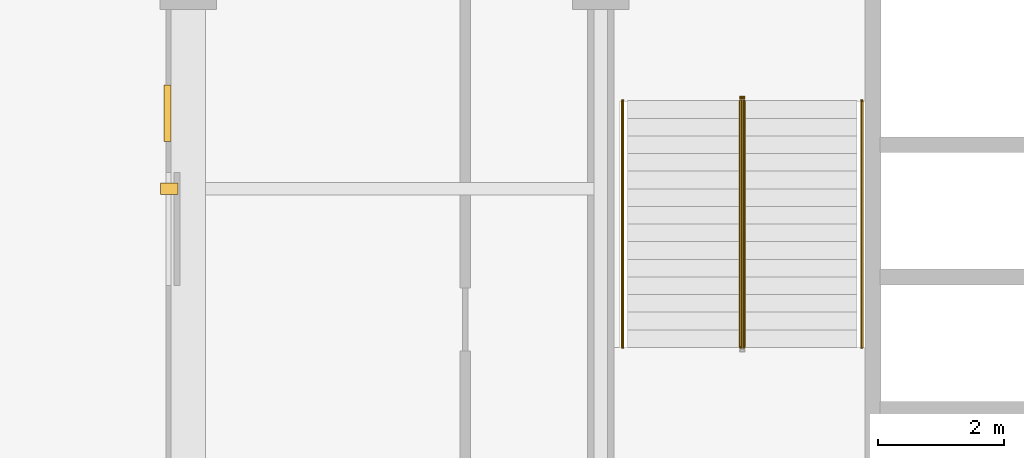
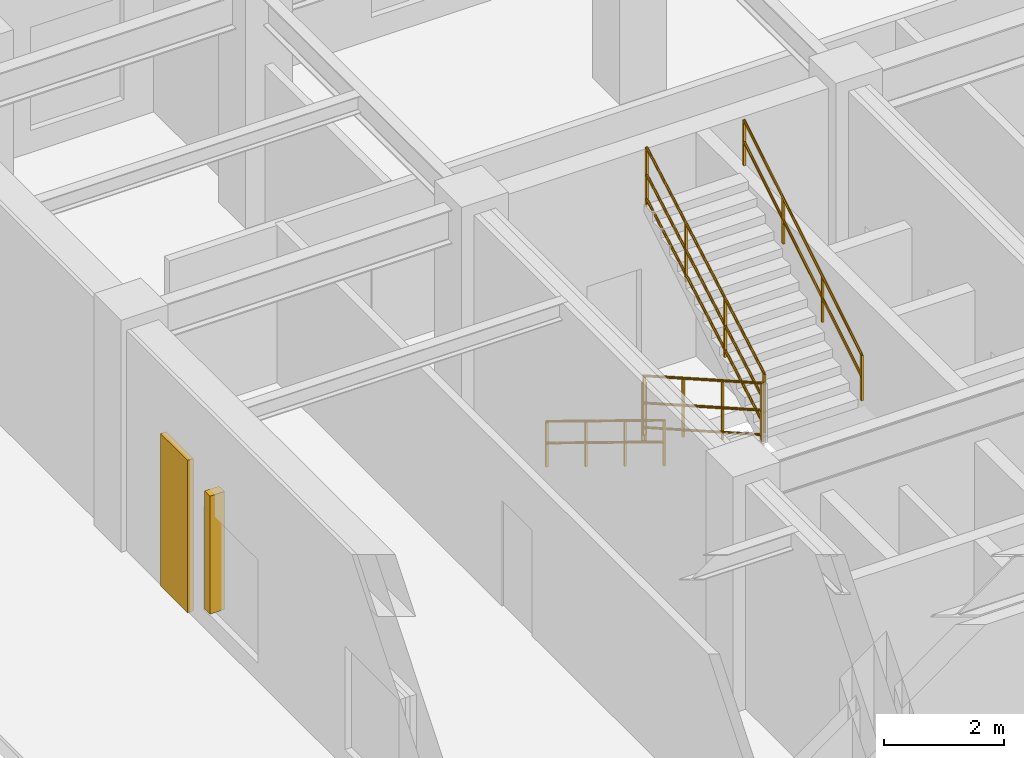
# One storey, part 15 of 16: 5 railings, 1 covering, 1 shading device.
"""IFC4 building model written with IfcOpenShell, lengths in metres."""

from ifc_helpers import new_model, entity, si_unit, converted_unit, direction, frame, origin_with_axes, origin_2d_with_axis, place, context, subcontext, project, spatial, rectangle, circle, extrude, material, layer, layer_set, type_object, element, save


model = new_model("IFC4")

# Units and contexts
model_context = context("Model", 3, precision=1e-05, world=origin_with_axes(), true_north=direction((0.0, 1.0)))
body_context = subcontext(model_context, "Body", "Model", "MODEL_VIEW")
ifc_project = project(units=[si_unit("LENGTHUNIT", "METRE"), si_unit("AREAUNIT", "SQUARE_METRE"), si_unit("VOLUMEUNIT", "CUBIC_METRE"), converted_unit("PLANEANGLEUNIT", "DEGREE", entity("IfcPlaneAngleMeasure", 0.017453292519943295), si_unit("PLANEANGLEUNIT", "RADIAN"), dimensions=[0, 0, 0, 0, 0, 0, 0]), si_unit("MASSUNIT", "GRAM", prefix="KILO"), si_unit("THERMODYNAMICTEMPERATUREUNIT", "KELVIN")], contexts=[model_context])

# Site, building, storey
site_placement = place(None, origin_with_axes())
site = spatial("IfcSite", under=ifc_project, at=site_placement, CompositionType="ELEMENT")
building_placement = place(site_placement, origin_with_axes())
building = spatial("IfcBuilding", under=site, at=building_placement, Name="Varnlund Millrace Tower", CompositionType="ELEMENT")
storey_placement = place(building_placement, frame((0.0, 0.0, 219.9), z_axis=(0.0, 0.0, 1.0), x_axis=(1.0, 0.0, 0.0)))
storey = spatial("IfcBuildingStorey", under=building, at=storey_placement, Name="L54", CompositionType="ELEMENT", Elevation=219.9)

# Covering
ifc_material_1 = material(Name="Precast concrete C50/60", Category="concrete")
ifc_layer = layer(ifc_material_1, 0.11, Name="Precast concrete C50/60")
ifc_layer_set = layer_set([ifc_layer], Name="Precast concrete C50/60")
covering_type = type_object("IfcCoveringType", Name="Type-Cladding-KasotaPier-110", PredefinedType="CLADDING", material=ifc_layer_set)
covering_placement = place(storey_placement, frame((4.52, 35.7, 0.1), z_axis=(0.0, 0.0, 1.0), x_axis=(1.0, 0.0, 0.0)))
element("IfcCovering", 1, at=covering_placement, inside=storey, type_object=covering_type, Name="Type-Cladding-KasotaPier-110", PredefinedType="CLADDING", context=body_context, shape_type="SweptSolid", body=[
    extrude(rectangle(XDim=0.11, YDim=0.9, at=origin_2d_with_axis()), origin_with_axes(), (0.0, 0.0, 1.0), 3.1),
])

# Shading device
ifc_material_2 = material(Name="Architectural bronze fluted spandrel fin", Category="aluminium")
shading_device_type = type_object("IfcShadingDeviceType", Name="Type-Shade-ArtDecoFin", PredefinedType="USERDEFINED", material=ifc_material_2)
shading_device_placement = place(storey_placement, frame((4.55, 34.5, 0.6), z_axis=(0.0, 0.0, 1.0), x_axis=(1.0, 0.0, 0.0)))
element("IfcShadingDevice", 2, at=shading_device_placement, inside=storey, type_object=shading_device_type, Name="Type-Shade-ArtDecoFin", ObjectType="FIN", PredefinedType="USERDEFINED", context=body_context, shape_type="SweptSolid", body=[
    extrude(rectangle(XDim=0.28, YDim=0.18, at=origin_2d_with_axis()), origin_with_axes(), (0.0, 0.0, 1.0), 2.4),
])

# Railings
ifc_material_3 = material(Name="Painted steel stair well balustrade guard", Category="steel")
railing_type_1 = type_object("IfcRailingType", Name="Type-StairGuard-1150", PredefinedType="GUARDRAIL", material=ifc_material_3)
railing_1_placement = place(storey_placement, frame((0.0, 0.0, -219.9), z_axis=(0.0, 0.0, 1.0), x_axis=(1.0, 0.0, 0.0)))
element("IfcRailing", 3, at=railing_1_placement, inside=storey, type_object=railing_type_1, Name="Type-StairGuard-1150", PredefinedType="GUARDRAIL", context=body_context, shape_type="SweptSolid", body=[
    extrude(circle(Radius=0.024, at=origin_2d_with_axis()), frame((13.625, 35.9, 221.221429), z_axis=(0.0, -0.869333, 0.494227), x_axis=(1.0, 0.0, 0.0)), (0.0, 0.0, 1.0), 4.509205),
    extrude(circle(Radius=0.024, at=origin_2d_with_axis()), frame((13.625, 35.9, 220.171429), z_axis=(0.0, -0.869333, 0.494227), x_axis=(1.0, 0.0, 0.0)), (0.0, 0.0, 1.0), 4.509205),
    extrude(circle(Radius=0.024, at=origin_2d_with_axis()), frame((13.625, 35.9, 220.669429), z_axis=(0.0, -0.869333, 0.494227), x_axis=(1.0, 0.0, 0.0)), (0.0, 0.0, 1.0), 4.509205),
    extrude(rectangle(XDim=0.04, YDim=0.04, at=origin_2d_with_axis()), frame((13.625, 35.9, 220.031429), z_axis=(0.0, 0.0, 1.0), x_axis=(1.0, 0.0, 0.0)), (0.0, 0.0, 1.0), 1.19),
    extrude(rectangle(XDim=0.04, YDim=0.04, at=origin_2d_with_axis()), frame((13.625, 34.593333, 220.774286), z_axis=(0.0, 0.0, 1.0), x_axis=(1.0, 0.0, 0.0)), (0.0, 0.0, 1.0), 1.19),
    extrude(rectangle(XDim=0.04, YDim=0.04, at=origin_2d_with_axis()), frame((13.625, 33.286667, 221.517143), z_axis=(0.0, 0.0, 1.0), x_axis=(1.0, 0.0, 0.0)), (0.0, 0.0, 1.0), 1.19),
    extrude(rectangle(XDim=0.04, YDim=0.04, at=origin_2d_with_axis()), frame((13.625, 31.98, 222.26), z_axis=(0.0, 0.0, 1.0), x_axis=(1.0, 0.0, 0.0)), (0.0, 0.0, 1.0), 1.19),
])
railing_2_placement = place(storey_placement, frame((0.0, 0.0, -219.9), z_axis=(0.0, 0.0, 1.0), x_axis=(1.0, 0.0, 0.0)))
element("IfcRailing", 4, at=railing_2_placement, inside=storey, type_object=railing_type_1, Name="Type-StairGuard-1150", PredefinedType="GUARDRAIL", context=body_context, shape_type="SweptSolid", body=[
    extrude(circle(Radius=0.024, at=origin_2d_with_axis()), frame((13.675, 31.98, 223.621429), z_axis=(0.0, 0.869333, 0.494227), x_axis=(-1.0, 0.0, 0.0)), (0.0, 0.0, 1.0), 4.509205),
    extrude(circle(Radius=0.024, at=origin_2d_with_axis()), frame((13.675, 31.98, 222.571429), z_axis=(0.0, 0.869333, 0.494227), x_axis=(-1.0, 0.0, 0.0)), (0.0, 0.0, 1.0), 4.509205),
    extrude(circle(Radius=0.024, at=origin_2d_with_axis()), frame((13.675, 31.98, 223.069429), z_axis=(0.0, 0.869333, 0.494227), x_axis=(-1.0, 0.0, 0.0)), (0.0, 0.0, 1.0), 4.509205),
    extrude(rectangle(XDim=0.04, YDim=0.04, at=origin_2d_with_axis()), frame((13.675, 31.98, 222.431429), z_axis=(0.0, 0.0, 1.0), x_axis=(1.0, 0.0, 0.0)), (0.0, 0.0, 1.0), 1.19),
    extrude(rectangle(XDim=0.04, YDim=0.04, at=origin_2d_with_axis()), frame((13.675, 33.286667, 223.174286), z_axis=(0.0, 0.0, 1.0), x_axis=(1.0, 0.0, 0.0)), (0.0, 0.0, 1.0), 1.19),
    extrude(rectangle(XDim=0.04, YDim=0.04, at=origin_2d_with_axis()), frame((13.675, 34.593333, 223.917143), z_axis=(0.0, 0.0, 1.0), x_axis=(1.0, 0.0, 0.0)), (0.0, 0.0, 1.0), 1.19),
    extrude(rectangle(XDim=0.04, YDim=0.04, at=origin_2d_with_axis()), frame((13.675, 35.9, 224.66), z_axis=(0.0, 0.0, 1.0), x_axis=(1.0, 0.0, 0.0)), (0.0, 0.0, 1.0), 1.19),
])
railing_3_placement = place(storey_placement, frame((0.0, 0.0, -219.9), z_axis=(0.0, 0.0, 1.0), x_axis=(1.0, 0.0, 0.0)))
element("IfcRailing", 5, at=railing_3_placement, inside=storey, type_object=railing_type_1, Name="Type-StairGuard-1150", PredefinedType="GUARDRAIL", context=body_context, shape_type="SweptSolid", body=[
    extrude(circle(Radius=0.024, at=origin_2d_with_axis()), frame((13.675, 35.95, 221.05), z_axis=(-1.0, 0.0, 0.0), x_axis=(0.0, -1.0, 0.0)), (0.0, 0.0, 1.0), 0.05),
    extrude(circle(Radius=0.024, at=origin_2d_with_axis()), frame((13.675, 35.95, 220.0), z_axis=(-1.0, 0.0, 0.0), x_axis=(0.0, -1.0, 0.0)), (0.0, 0.0, 1.0), 0.05),
    extrude(circle(Radius=0.024, at=origin_2d_with_axis()), frame((13.675, 35.95, 220.498), z_axis=(-1.0, 0.0, 0.0), x_axis=(0.0, -1.0, 0.0)), (0.0, 0.0, 1.0), 0.05),
    extrude(rectangle(XDim=0.04, YDim=0.04, at=origin_2d_with_axis()), frame((13.675, 35.95, 219.86), z_axis=(0.0, 0.0, 1.0), x_axis=(1.0, 0.0, 0.0)), (0.0, 0.0, 1.0), 1.19),
    extrude(rectangle(XDim=0.04, YDim=0.04, at=origin_2d_with_axis()), frame((13.625, 35.95, 219.86), z_axis=(0.0, 0.0, 1.0), x_axis=(1.0, 0.0, 0.0)), (0.0, 0.0, 1.0), 1.19),
])
ifc_material_4 = material(Name="Brushed architectural bronze stair handrail", Category="aluminium")
railing_type_2 = type_object("IfcRailingType", Name="Type-StairHandrail-900", PredefinedType="HANDRAIL", material=ifc_material_4)
railing_4_placement = place(storey_placement, frame((0.0, 0.0, -219.9), z_axis=(0.0, 0.0, 1.0), x_axis=(1.0, 0.0, 0.0)))
element("IfcRailing", 6, at=railing_4_placement, inside=storey, type_object=railing_type_2, Name="Type-StairHandrail-900", PredefinedType="HANDRAIL", context=body_context, shape_type="SweptSolid", body=[
    extrude(circle(Radius=0.024, at=origin_2d_with_axis()), frame((11.75, 35.9, 220.950961), z_axis=(0.0, -0.852851, 0.522154), x_axis=(1.0, 0.0, 0.0)), (0.0, 0.0, 1.0), 4.596346),
    extrude(circle(Radius=0.024, at=origin_2d_with_axis()), frame((11.75, 35.9, 220.511195), z_axis=(0.0, -0.852851, 0.522154), x_axis=(1.0, 0.0, 0.0)), (0.0, 0.0, 1.0), 4.596346),
    extrude(rectangle(XDim=0.04, YDim=0.04, at=origin_2d_with_axis()), frame((11.75, 35.9, 220.031429), z_axis=(0.0, 0.0, 1.0), x_axis=(1.0, 0.0, 0.0)), (0.0, 0.0, 1.0), 0.919532),
    extrude(rectangle(XDim=0.04, YDim=0.04, at=origin_2d_with_axis()), frame((11.75, 34.593333, 220.831429), z_axis=(0.0, 0.0, 1.0), x_axis=(1.0, 0.0, 0.0)), (0.0, 0.0, 1.0), 0.919532),
    extrude(rectangle(XDim=0.04, YDim=0.04, at=origin_2d_with_axis()), frame((11.75, 33.286667, 221.631429), z_axis=(0.0, 0.0, 1.0), x_axis=(1.0, 0.0, 0.0)), (0.0, 0.0, 1.0), 0.919532),
    extrude(rectangle(XDim=0.04, YDim=0.04, at=origin_2d_with_axis()), frame((11.75, 31.98, 222.431429), z_axis=(0.0, 0.0, 1.0), x_axis=(1.0, 0.0, 0.0)), (0.0, 0.0, 1.0), 0.919532),
])
railing_5_placement = place(storey_placement, frame((0.0, 0.0, -219.9), z_axis=(0.0, 0.0, 1.0), x_axis=(1.0, 0.0, 0.0)))
element("IfcRailing", 7, at=railing_5_placement, inside=storey, type_object=railing_type_2, Name="Type-StairHandrail-900", PredefinedType="HANDRAIL", context=body_context, shape_type="SweptSolid", body=[
    extrude(circle(Radius=0.024, at=origin_2d_with_axis()), frame((15.55, 31.98, 223.350961), z_axis=(0.0, 0.852851, 0.522154), x_axis=(-1.0, 0.0, 0.0)), (0.0, 0.0, 1.0), 4.596346),
    extrude(circle(Radius=0.024, at=origin_2d_with_axis()), frame((15.55, 31.98, 222.911195), z_axis=(0.0, 0.852851, 0.522154), x_axis=(-1.0, 0.0, 0.0)), (0.0, 0.0, 1.0), 4.596346),
    extrude(rectangle(XDim=0.04, YDim=0.04, at=origin_2d_with_axis()), frame((15.55, 31.98, 222.431429), z_axis=(0.0, 0.0, 1.0), x_axis=(1.0, 0.0, 0.0)), (0.0, 0.0, 1.0), 0.919532),
    extrude(rectangle(XDim=0.04, YDim=0.04, at=origin_2d_with_axis()), frame((15.55, 33.286667, 223.231429), z_axis=(0.0, 0.0, 1.0), x_axis=(1.0, 0.0, 0.0)), (0.0, 0.0, 1.0), 0.919532),
    extrude(rectangle(XDim=0.04, YDim=0.04, at=origin_2d_with_axis()), frame((15.55, 34.593333, 224.031429), z_axis=(0.0, 0.0, 1.0), x_axis=(1.0, 0.0, 0.0)), (0.0, 0.0, 1.0), 0.919532),
    extrude(rectangle(XDim=0.04, YDim=0.04, at=origin_2d_with_axis()), frame((15.55, 35.9, 224.831429), z_axis=(0.0, 0.0, 1.0), x_axis=(1.0, 0.0, 0.0)), (0.0, 0.0, 1.0), 0.919532),
])

save(model, "model.ifc")
